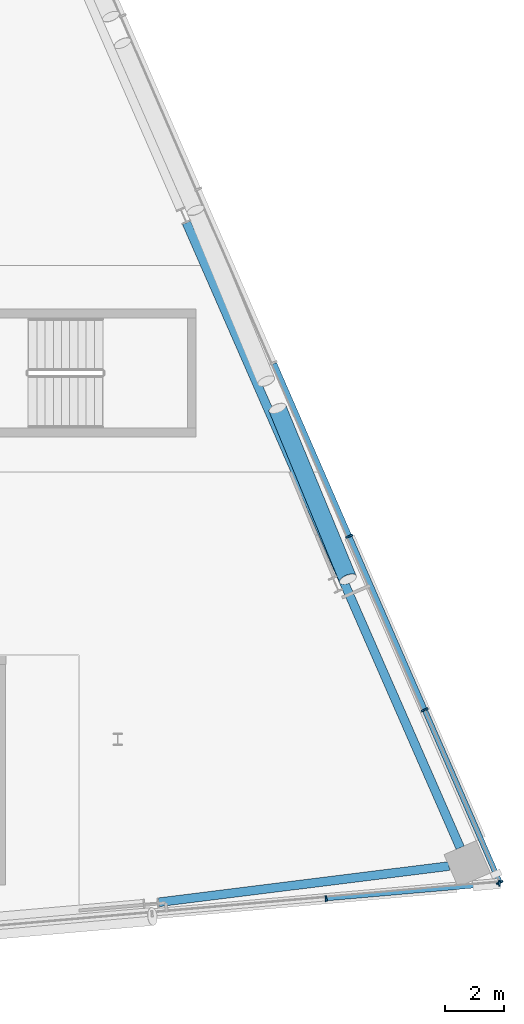
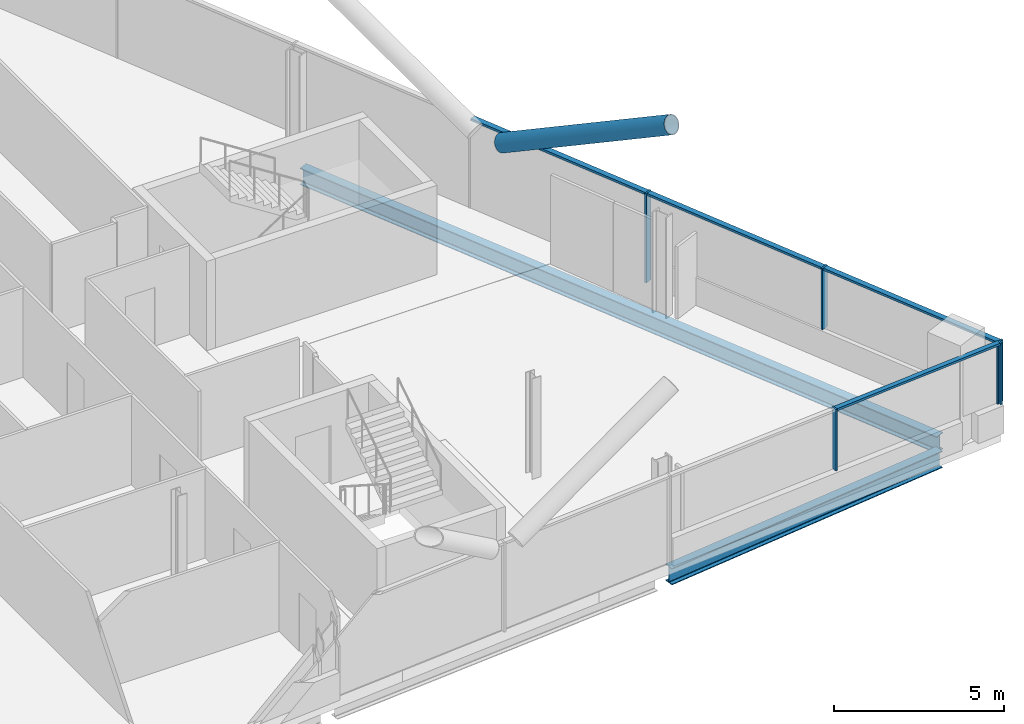
# One storey, part 12 of 27: 10 members, 2 beams, 2 elements without a shape of their own.
"""IFC4 building model written with IfcOpenShell, lengths in metres."""

from ifc_helpers import new_model, si_unit, direction, frame, origin, origin_2d, place, context, subcontext, project, spatial, rectangle, hollow_circle, i_section, extrude, material, material_profile, profile_set, type_object, element, aggregate, save


model = new_model("IFC4")

# Units and contexts
model_context = context("Model", 3, precision=1e-05, world=origin(), true_north=direction((0.0, 1.0)))
body_context = subcontext(model_context, "Body", "Model", "MODEL_VIEW")
ifc_project = project(units=[si_unit("LENGTHUNIT", "METRE"), si_unit("AREAUNIT", "SQUARE_METRE"), si_unit("VOLUMEUNIT", "CUBIC_METRE"), si_unit("PLANEANGLEUNIT", "RADIAN"), si_unit("MASSUNIT", "GRAM", prefix="KILO")], contexts=[model_context])

# Site, building, storey
site_placement = place(None, origin())
site = spatial("IfcSite", under=ifc_project, at=site_placement, CompositionType="ELEMENT")
building_placement = place(site_placement, origin())
building = spatial("IfcBuilding", under=site, at=building_placement, Name="Wharfspan Tower", CompositionType="ELEMENT")
storey_placement = place(building_placement, frame((0.0, 0.0, 228.699951)))
storey = spatial("IfcBuildingStorey", under=building, at=storey_placement, Name="L57", CompositionType="ELEMENT", Elevation=228.699951)

# Beams
ifc_material_1 = material(Name="Steel S355J2", Category="steel")
ifc_material_profile_1 = material_profile(ifc_material_1, i_section(OverallWidth=0.300049, OverallDepth=0.600098, WebThickness=0.015381, FlangeThickness=0.030029, FilletRadius=0.0271, at=origin_2d()))
ifc_profile_set_1 = profile_set([ifc_material_profile_1], Name="Steel S355J2")
beam_type = type_object("IfcBeamType", Name="Edge beam HEB 600", PredefinedType="SPANDREL", material=ifc_profile_set_1)
beam_1_placement = place(storey_placement, frame((73.391602, 5.955322, -0.699951), z_axis=(0.992301, 0.123848, 0.0), x_axis=(-0.123848, 0.992301, 0.0)))
element("IfcBeam", 1, at=beam_1_placement, inside=storey, type_object=beam_type, Name="Edge beam S2 L57 PS2.2 to MC4", PredefinedType="SPANDREL", context=body_context, shape_type="SweptSolid", body=[
    extrude(i_section(OverallWidth=0.300049, OverallDepth=0.600098, WebThickness=0.015381, FlangeThickness=0.030029, FilletRadius=0.0271, at=origin_2d()), origin(), (0.0, 0.0, 1.0), 9.951172),
])
beam_2_placement = place(storey_placement, frame((83.643799, 7.810547, -0.699951), z_axis=(-0.401141, 0.916016, 0.0), x_axis=(-0.916016, -0.401141, 0.0)))
element("IfcBeam", 2, at=beam_2_placement, inside=storey, type_object=beam_type, Name="Edge beam E L57 MC4 to PE.2", PredefinedType="SPANDREL", context=body_context, shape_type="SweptSolid", body=[
    extrude(i_section(OverallWidth=0.300049, OverallDepth=0.600098, WebThickness=0.015381, FlangeThickness=0.030029, FilletRadius=0.0271, at=origin_2d()), origin(), (0.0, 0.0, 1.0), 23.196045),
])

# Curtain wall, members
ifc_material_2 = material(Name="Aluminium 6063-T6", Category="aluminium")
curtain_wall_type_1 = type_object("IfcCurtainWallType", Name="CURTAIN WALL FACETED FRONT", PredefinedType="NOTDEFINED", material=ifc_material_2)
curtain_wall_1_placement = place(storey_placement, origin())
curtain_wall_1 = element("IfcCurtainWall", 3, at=curtain_wall_1_placement, inside=storey, type_object=curtain_wall_type_1, Name="Curtain wall S2", PredefinedType="NOTDEFINED")
ifc_material_profile_2 = material_profile(ifc_material_2, rectangle(XDim=0.199951, YDim=0.060059, at=origin_2d()))
ifc_profile_set_2 = profile_set([ifc_material_profile_2], Name="Aluminium 6063-T6")
member_type_1 = type_object("IfcMemberType", Name="MULLION FACETED FRONT 60x200", PredefinedType="MULLION", material=ifc_profile_set_2)
member_1_placement = place(storey_placement, frame((79.083252, 6.082275, 1.0), z_axis=(0.0, 0.0, 1.0), x_axis=(-0.087156, 0.996197, 0.0)))
member_1 = element("IfcMember", 4, at=member_1_placement, type_object=member_type_1, Name="Curtain wall S2 mullion 6", PredefinedType="MULLION", context=body_context, shape_type="SweptSolid", body=[
    extrude(rectangle(XDim=0.199951, YDim=0.060059, at=origin_2d()), origin(), (0.0, 0.0, 1.0), 2.199951),
])
member_2_placement = place(storey_placement, frame((84.970215, 6.597412, 1.0), z_axis=(0.0, 0.0, 1.0), x_axis=(-0.087156, 0.996197, 0.0)))
member_2 = element("IfcMember", 5, at=member_2_placement, type_object=member_type_1, Name="Curtain wall S2 mullion 7", PredefinedType="MULLION", context=body_context, shape_type="SweptSolid", body=[
    extrude(rectangle(XDim=0.199951, YDim=0.060059, at=origin_2d()), origin(), (0.0, 0.0, 1.0), 2.199951),
])

curtain_wall_type_2 = type_object("IfcCurtainWallType", Name="CURTAIN WALL PROW AND END", PredefinedType="NOTDEFINED", material=ifc_material_2)
curtain_wall_2_placement = place(storey_placement, origin())
curtain_wall_2 = element("IfcCurtainWall", 6, at=curtain_wall_2_placement, inside=storey, type_object=curtain_wall_type_2, Name="Curtain wall E", PredefinedType="NOTDEFINED")
ifc_material_profile_3 = material_profile(ifc_material_2, rectangle(XDim=0.23999, YDim=0.060059, at=origin_2d()))
ifc_profile_set_3 = profile_set([ifc_material_profile_3], Name="Aluminium 6063-T6")
member_type_2 = type_object("IfcMemberType", Name="MULLION PROW AND END 60x240", PredefinedType="MULLION", material=ifc_profile_set_3)
member_3_placement = place(storey_placement, frame((84.988037, 6.627441, 1.0), z_axis=(0.0, 0.0, 1.0), x_axis=(-0.917072, -0.398727, 0.0)))
member_3 = element("IfcMember", 7, at=member_3_placement, type_object=member_type_2, Name="Curtain wall E mullion 1", PredefinedType="MULLION", context=body_context, shape_type="SweptSolid", body=[
    extrude(rectangle(XDim=0.23999, YDim=0.060059, at=origin_2d()), origin(), (0.0, 0.0, 1.0), 2.199951),
])
member_4_placement = place(storey_placement, frame((82.434814, 12.5, 1.0), z_axis=(0.0, 0.0, 1.0), x_axis=(-0.917072, -0.398727, 0.0)))
member_4 = element("IfcMember", 8, at=member_4_placement, type_object=member_type_2, Name="Curtain wall E mullion 2", PredefinedType="MULLION", context=body_context, shape_type="SweptSolid", body=[
    extrude(rectangle(XDim=0.23999, YDim=0.060059, at=origin_2d()), origin(), (0.0, 0.0, 1.0), 2.199951),
])
member_5_placement = place(storey_placement, frame((79.869629, 18.399902, 0.0), z_axis=(0.0, 0.0, 1.0), x_axis=(-0.917072, -0.398727, 0.0)))
member_5 = element("IfcMember", 9, at=member_5_placement, type_object=member_type_2, Name="Curtain wall E mullion 3", PredefinedType="MULLION", context=body_context, shape_type="SweptSolid", body=[
    extrude(rectangle(XDim=0.23999, YDim=0.060059, at=origin_2d()), origin(), (0.0, 0.0, 1.0), 3.199951),
])

# Member
ifc_material_3 = material(Name="Steel S460NH", Category="steel")
ifc_material_profile_4 = material_profile(ifc_material_3, hollow_circle(Radius=0.304932, WallThickness=0.024902, at=origin_2d()))
ifc_profile_set_4 = profile_set([ifc_material_profile_4], Name="Steel S460NH")
member_type_3 = type_object("IfcMemberType", Name="Mega brace CHS 610x25", PredefinedType="BRACE", material=ifc_profile_set_4)
member_6_placement = place(storey_placement, frame((77.431885, 22.744141, 3.16748), z_axis=(0.337047, -0.816368, 0.46898), x_axis=(0.924317, 0.381615, 0.0)))
element("IfcMember", 10, at=member_6_placement, inside=storey, type_object=member_type_3, Name="Mega brace E5 L57 part 4", PredefinedType="BRACE", context=body_context, shape_type="SweptSolid", body=[
    extrude(hollow_circle(Radius=0.304932, WallThickness=0.024902, at=origin_2d()), origin(), (0.0, 0.0, 1.0), 7.105957),
])

ifc_material_profile_5 = material_profile(ifc_material_2, rectangle(XDim=0.159912, YDim=0.080078, at=origin_2d()))
ifc_profile_set_5 = profile_set([ifc_material_profile_5], Name="Aluminium 6063-T6")
member_type_4 = type_object("IfcMemberType", Name="TRANSOM FACETED FRONT 80x160", PredefinedType="USERDEFINED", material=ifc_profile_set_5)
member_7_placement = place(storey_placement, frame((79.113281, 6.084961, 3.160156), z_axis=(0.996195, 0.087152, 0.0), x_axis=(-0.087152, 0.996195, 0.0)))
member_7 = element("IfcMember", 11, at=member_7_placement, type_object=member_type_4, Name="Curtain wall S2 transom 6", ObjectType="TRANSOM", PredefinedType="USERDEFINED", context=body_context, shape_type="SweptSolid", body=[
    extrude(rectangle(XDim=0.159912, YDim=0.080078, at=origin_2d()), origin(), (0.0, 0.0, 1.0), 5.849121),
])

aggregate(curtain_wall_1, [member_1, member_2, member_7])

ifc_material_profile_6 = material_profile(ifc_material_2, rectangle(XDim=0.179932, YDim=0.080078, at=origin_2d()))
ifc_profile_set_6 = profile_set([ifc_material_profile_6], Name="Aluminium 6063-T6")
member_type_5 = type_object("IfcMemberType", Name="TRANSOM PROW AND END 80x180", PredefinedType="USERDEFINED", material=ifc_profile_set_6)
member_8_placement = place(storey_placement, frame((84.976074, 6.655029, 3.160156), z_axis=(-0.398726, 0.91707, 0.0), x_axis=(-0.91707, -0.398726, 0.0)))
member_8 = element("IfcMember", 12, at=member_8_placement, type_object=member_type_5, Name="Curtain wall E transom 1", ObjectType="TRANSOM", PredefinedType="USERDEFINED", context=body_context, shape_type="SweptSolid", body=[
    extrude(rectangle(XDim=0.179932, YDim=0.080078, at=origin_2d()), origin(), (0.0, 0.0, 1.0), 6.343506),
])

member_9_placement = place(storey_placement, frame((82.422852, 12.527588, 3.160156), z_axis=(-0.398722, 0.917072, 0.0), x_axis=(-0.917072, -0.398722, 0.0)))
member_9 = element("IfcMember", 13, at=member_9_placement, type_object=member_type_5, Name="Curtain wall E transom 2", ObjectType="TRANSOM", PredefinedType="USERDEFINED", context=body_context, shape_type="SweptSolid", body=[
    extrude(rectangle(XDim=0.179932, YDim=0.080078, at=origin_2d()), origin(), (0.0, 0.0, 1.0), 6.373535),
])

member_10_placement = place(storey_placement, frame((79.857666, 18.42749, 3.160156), z_axis=(-0.398722, 0.917072, 0.0), x_axis=(-0.917072, -0.398722, 0.0)))
member_10 = element("IfcMember", 14, at=member_10_placement, type_object=member_type_5, Name="Curtain wall E transom 3", ObjectType="TRANSOM", PredefinedType="USERDEFINED", context=body_context, shape_type="SweptSolid", body=[
    extrude(rectangle(XDim=0.179932, YDim=0.080078, at=origin_2d()), origin(), (0.0, 0.0, 1.0), 6.373535),
])

aggregate(curtain_wall_2, [member_3, member_4, member_5, member_8, member_9, member_10])

save(model, "model.ifc")
